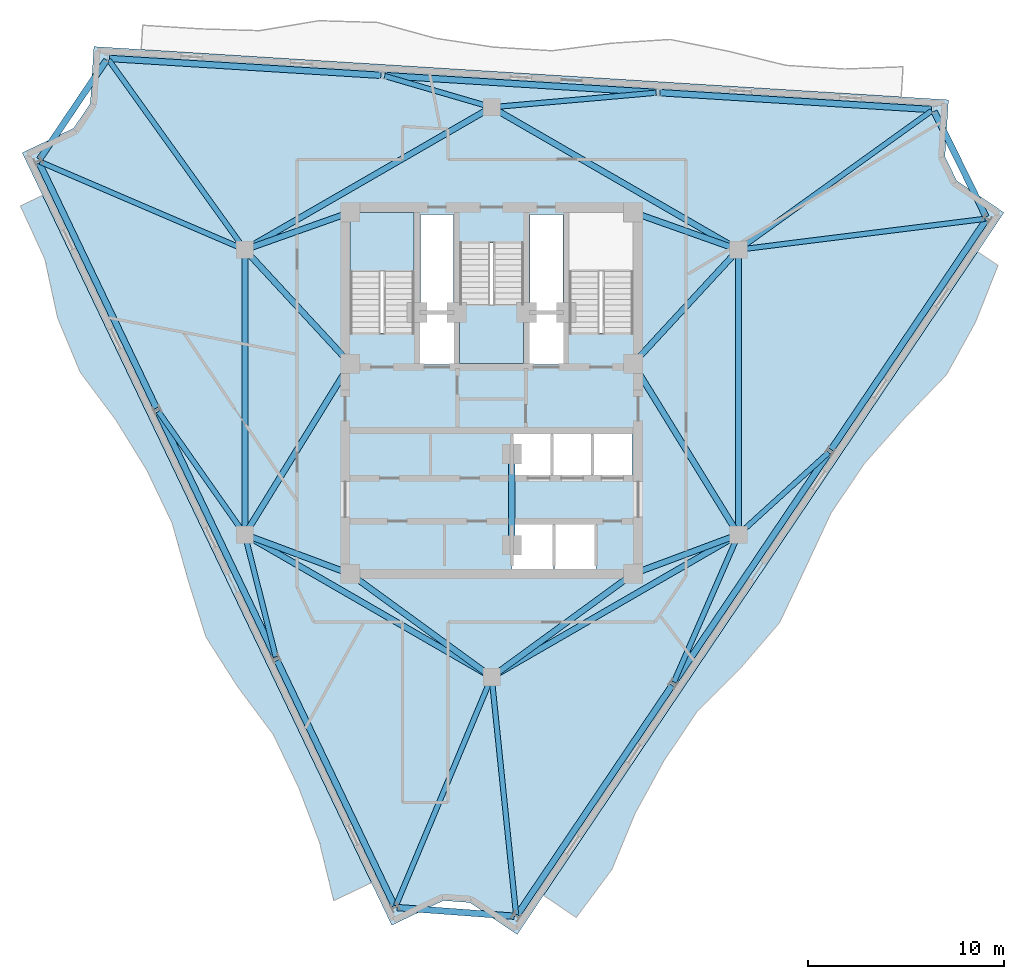
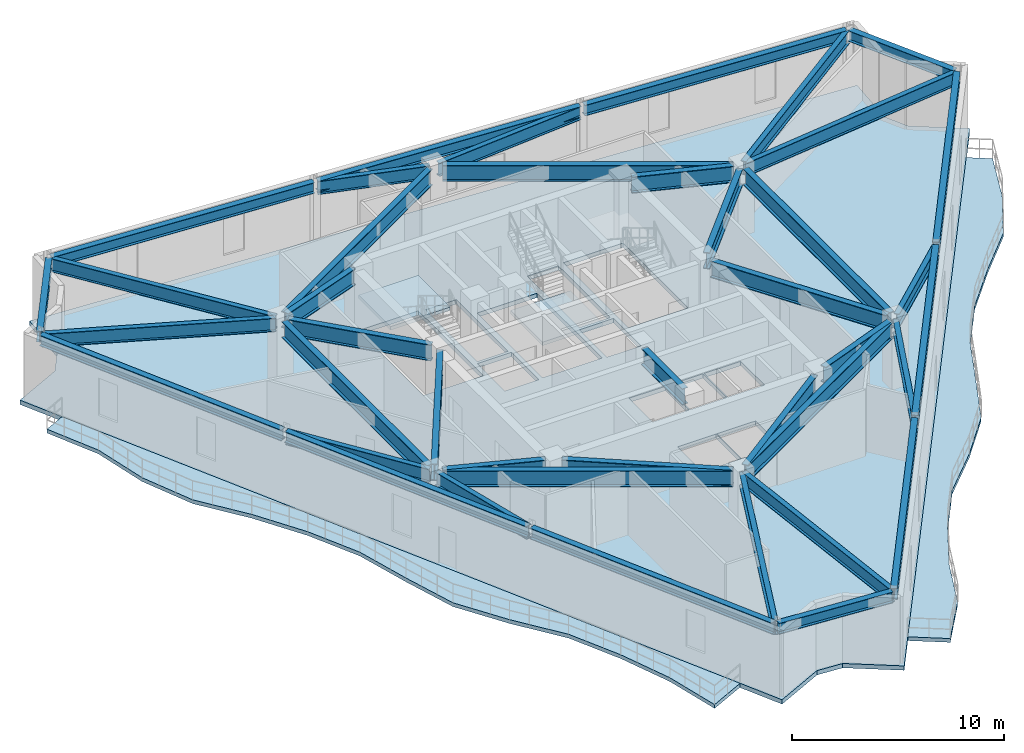
# One storey, part 4 of 10: 41 beams, 5 slabs, 2 elements without a shape of their own.
"""IFC4 building model written with IfcOpenShell, lengths in metres."""

from ifc_helpers import new_model, si_unit, direction, frame, origin, origin_2d, place, context, subcontext, project, spatial, polyline, i_section, outline, extrude, material, layer, layer_set, material_profile, profile_set, type_object, element, aggregate, save


model = new_model("IFC4")

# Units and contexts
model_context = context("Model", 3, precision=1e-05, world=origin(), true_north=direction((0.0, 1.0)))
body_context = subcontext(model_context, "Body", "Model", "MODEL_VIEW")
ifc_project = project(units=[si_unit("LENGTHUNIT", "METRE"), si_unit("AREAUNIT", "SQUARE_METRE"), si_unit("VOLUMEUNIT", "CUBIC_METRE"), si_unit("PLANEANGLEUNIT", "RADIAN"), si_unit("MASSUNIT", "GRAM", prefix="KILO")], contexts=[model_context])

# Site, building, storey
site_placement = place(None, origin())
site = spatial("IfcSite", under=ifc_project, at=site_placement, CompositionType="ELEMENT")
building_placement = place(site_placement, origin())
building = spatial("IfcBuilding", under=site, at=building_placement, Name="Apsidion Concourse Tower", CompositionType="ELEMENT")
storey_placement = place(building_placement, frame((0.0, 0.0, 298.300048828125)))
storey = spatial("IfcBuildingStorey", under=building, at=storey_placement, Name="L70", CompositionType="ELEMENT", Elevation=298.300048828125)

# Beams
ifc_material_1 = material(Name="Structural steel ASTM A992 Grade 50", Category="steel")
ifc_material_profile_1 = material_profile(ifc_material_1, i_section(OverallWidth=0.31005859375, OverallDepth=0.931884765625, WebThickness=0.02099609375, FlangeThickness=0.034423828125, at=origin_2d()), Name="W36X210")
ifc_profile_set_1 = profile_set([ifc_material_profile_1], Name="Structural steel ASTM A992 Grade 50")
beam_type_1 = type_object("IfcBeamType", Name="BM-G-W36", PredefinedType="USERDEFINED", material=ifc_profile_set_1)
beam_1_placement = place(storey_placement, frame((-12.185302734375, -7.389892578125, 3.384033203125), z_axis=(0.936913021145, -0.349562570664, 0.0), x_axis=(0.349562570664, 0.936913021145, 0.0)))
element("IfcBeam", 1, at=beam_1_placement, inside=storey, type_object=beam_type_1, Name="L70 Core Coupling Girder IC1-SC1", ObjectType="GIRDER", PredefinedType="USERDEFINED", context=body_context, shape_type="SweptSolid", body=[
    extrude(i_section(OverallWidth=0.31005859375, OverallDepth=0.931884765625, WebThickness=0.02099609375, FlangeThickness=0.034423828125, at=origin_2d()), origin(), (0.0, 0.0, 1.0), 4.921142578125),
])
beam_2_placement = place(storey_placement, frame((-12.35009765625, -6.909423828125, 3.384033203125), z_axis=(0.524524009763, 0.851395656074, 0.0), x_axis=(-0.851395656074, 0.524524009763, 0.0)))
element("IfcBeam", 2, at=beam_2_placement, inside=storey, type_object=beam_type_1, Name="L70 Core Coupling Girder IC1-SC6", ObjectType="GIRDER", PredefinedType="USERDEFINED", context=body_context, shape_type="SweptSolid", body=[
    extrude(i_section(OverallWidth=0.31005859375, OverallDepth=0.931884765625, WebThickness=0.02099609375, FlangeThickness=0.034423828125, at=origin_2d()), origin(), (0.0, 0.0, 1.0), 9.41845703125),
])
beam_3_placement = place(storey_placement, frame((12.185302734375, -7.389892578125, 3.384033203125), z_axis=(-0.936913021145, -0.349562570664, 0.0), x_axis=(0.349562570664, -0.936913021145, 0.0)))
element("IfcBeam", 3, at=beam_3_placement, inside=storey, type_object=beam_type_1, Name="L70 Core Coupling Girder IC2-SC2", ObjectType="GIRDER", PredefinedType="USERDEFINED", context=body_context, shape_type="SweptSolid", body=[
    extrude(i_section(OverallWidth=0.31005859375, OverallDepth=0.931884765625, WebThickness=0.02099609375, FlangeThickness=0.034423828125, at=origin_2d()), origin(), (0.0, 0.0, 1.0), 4.921142578125),
])
beam_4_placement = place(storey_placement, frame((12.35009765625, -6.909423828125, 3.384033203125), z_axis=(-0.524524009763, 0.851395656074, 0.0), x_axis=(-0.851395656074, -0.524524009763, 0.0)))
element("IfcBeam", 4, at=beam_4_placement, inside=storey, type_object=beam_type_1, Name="L70 Core Coupling Girder IC2-SC3", ObjectType="GIRDER", PredefinedType="USERDEFINED", context=body_context, shape_type="SweptSolid", body=[
    extrude(i_section(OverallWidth=0.31005859375, OverallDepth=0.931884765625, WebThickness=0.02099609375, FlangeThickness=0.034423828125, at=origin_2d()), origin(), (0.0, 0.0, 1.0), 9.41845703125),
])
beam_5_placement = place(storey_placement, frame((12.28857421875, 6.956298828125, 3.384033203125), z_axis=(-0.678712876106, -0.73440372535, 0.0), x_axis=(0.73440372535, -0.678712876106, 0.0)))
element("IfcBeam", 5, at=beam_5_placement, inside=storey, type_object=beam_type_1, Name="L70 Core Coupling Girder IC3-SC3", ObjectType="GIRDER", PredefinedType="USERDEFINED", context=body_context, shape_type="SweptSolid", body=[
    extrude(i_section(OverallWidth=0.31005859375, OverallDepth=0.931884765625, WebThickness=0.02099609375, FlangeThickness=0.034423828125, at=origin_2d()), origin(), (0.0, 0.0, 1.0), 7.097412109375),
])
beam_6_placement = place(storey_placement, frame((12.18310546875, 7.383544921875, 3.384033203125), z_axis=(-0.942533844539, 0.334110688094, 0.0), x_axis=(-0.334110688094, -0.942533844539, 0.0)))
element("IfcBeam", 6, at=beam_6_placement, inside=storey, type_object=beam_type_1, Name="L70 Core Coupling Girder IC3-SC4", ObjectType="GIRDER", PredefinedType="USERDEFINED", context=body_context, shape_type="SweptSolid", body=[
    extrude(i_section(OverallWidth=0.31005859375, OverallDepth=0.931884765625, WebThickness=0.02099609375, FlangeThickness=0.034423828125, at=origin_2d()), origin(), (0.0, 0.0, 1.0), 4.886962890625),
])
beam_7_placement = place(storey_placement, frame((-12.28857421875, 6.956298828125, 3.384033203125), z_axis=(0.678712876106, -0.73440372535, 0.0), x_axis=(0.73440372535, 0.678712876106, 0.0)))
element("IfcBeam", 7, at=beam_7_placement, inside=storey, type_object=beam_type_1, Name="L70 Core Coupling Girder IC5-SC6", ObjectType="GIRDER", PredefinedType="USERDEFINED", context=body_context, shape_type="SweptSolid", body=[
    extrude(i_section(OverallWidth=0.31005859375, OverallDepth=0.931884765625, WebThickness=0.02099609375, FlangeThickness=0.034423828125, at=origin_2d()), origin(), (0.0, 0.0, 1.0), 7.097412109375),
])
beam_8_placement = place(storey_placement, frame((-12.18310546875, 7.383544921875, 3.384033203125), z_axis=(0.942533844539, 0.334110688094, 0.0), x_axis=(-0.334110688094, 0.942533844539, 0.0)))
element("IfcBeam", 8, at=beam_8_placement, inside=storey, type_object=beam_type_1, Name="L70 Core Coupling Girder IC5-SC5", ObjectType="GIRDER", PredefinedType="USERDEFINED", context=body_context, shape_type="SweptSolid", body=[
    extrude(i_section(OverallWidth=0.31005859375, OverallDepth=0.931884765625, WebThickness=0.02099609375, FlangeThickness=0.034423828125, at=origin_2d()), origin(), (0.0, 0.0, 1.0), 4.886962890625),
])
for number, where, z_axis, x_axis, name in (
    (9, (-0.3232421875, -14.264404296875, 3.384033203125), (-0.807993498909, 0.589191399905, 0.0), (-0.589191399905, -0.807993498909, 0.0), "L70 Core Coupling Girder IC6-SC1"),
    (10, (0.3232421875, -14.264404296875, 3.384033203125), (0.807993498909, 0.589191399905, 0.0), (-0.589191399905, 0.807993498909, 0.0), "L70 Core Coupling Girder IC6-SC2"),
):
    element("IfcBeam", number, at=place(storey_placement, frame(where, z_axis=z_axis, x_axis=x_axis)), inside=storey, type_object=beam_type_1, Name=name, ObjectType="GIRDER", PredefinedType="USERDEFINED", context=body_context, shape_type="SweptSolid", body=[
        extrude(i_section(OverallWidth=0.31005859375, OverallDepth=0.931884765625, WebThickness=0.02099609375, FlangeThickness=0.034423828125, at=origin_2d()), origin(), (0.0, 0.0, 1.0), 8.11083984375),
    ])
beam_9_placement = place(storey_placement, frame((-12.56005859375, -6.85009765625, 3.384033203125), z_axis=(0.0, 1.0, 0.0), x_axis=(-1.0, 0.0, 0.0)))
element("IfcBeam", 11, at=beam_9_placement, inside=storey, type_object=beam_type_1, Name="L70 Core Coupling Girder IC1-IC5", ObjectType="GIRDER", PredefinedType="USERDEFINED", context=body_context, shape_type="SweptSolid", body=[
    extrude(i_section(OverallWidth=0.31005859375, OverallDepth=0.931884765625, WebThickness=0.02099609375, FlangeThickness=0.034423828125, at=origin_2d()), origin(), (0.0, 0.0, 1.0), 13.7001953125),
])
for number, where, z_axis, x_axis, name in (
    (12, (-12.213623046875, 7.449951171875, 3.384033203125), (0.866070471464, 0.499921932364, 0.0), (-0.499921932364, 0.866070471464, 0.0), "L70 Core Coupling Girder IC5-IC4"),
    (13, (0.346435546875, 14.300048828125, 3.384033203125), (0.866070471464, -0.499921932364, 0.0), (0.499921932364, 0.866070471464, 0.0), "L70 Core Coupling Girder IC4-IC3"),
):
    element("IfcBeam", number, at=place(storey_placement, frame(where, z_axis=z_axis, x_axis=x_axis)), inside=storey, type_object=beam_type_1, Name=name, ObjectType="GIRDER", PredefinedType="USERDEFINED", context=body_context, shape_type="SweptSolid", body=[
        extrude(i_section(OverallWidth=0.31005859375, OverallDepth=0.931884765625, WebThickness=0.02099609375, FlangeThickness=0.034423828125, at=origin_2d()), origin(), (0.0, 0.0, 1.0), 13.702392578125),
    ])
beam_10_placement = place(storey_placement, frame((12.56005859375, 6.85009765625, 3.384033203125), z_axis=(0.0, -1.0, 0.0), x_axis=(1.0, 0.0, 0.0)))
element("IfcBeam", 14, at=beam_10_placement, inside=storey, type_object=beam_type_1, Name="L70 Core Coupling Girder IC3-IC2", ObjectType="GIRDER", PredefinedType="USERDEFINED", context=body_context, shape_type="SweptSolid", body=[
    extrude(i_section(OverallWidth=0.31005859375, OverallDepth=0.931884765625, WebThickness=0.02099609375, FlangeThickness=0.034423828125, at=origin_2d()), origin(), (0.0, 0.0, 1.0), 13.7001953125),
])
for number, where, z_axis, x_axis, name in (
    (15, (12.213623046875, -7.449951171875, 3.384033203125), (-0.866070471464, -0.499921932364, 0.0), (0.499921932364, -0.866070471464, 0.0), "L70 Core Coupling Girder IC2-IC6"),
    (16, (-0.346435546875, -14.300048828125, 3.384033203125), (-0.866070471464, 0.499921932364, 0.0), (-0.499921932364, -0.866070471464, 0.0), "L70 Core Coupling Girder IC6-IC1"),
):
    element("IfcBeam", number, at=place(storey_placement, frame(where, z_axis=z_axis, x_axis=x_axis)), inside=storey, type_object=beam_type_1, Name=name, ObjectType="GIRDER", PredefinedType="USERDEFINED", context=body_context, shape_type="SweptSolid", body=[
        extrude(i_section(OverallWidth=0.31005859375, OverallDepth=0.931884765625, WebThickness=0.02099609375, FlangeThickness=0.034423828125, at=origin_2d()), origin(), (0.0, 0.0, 1.0), 13.702392578125),
    ])
beam_11_placement = place(storey_placement, frame((1.02490234375, -3.550048828125, 3.384033203125), z_axis=(0.0, -1.0, 0.0), x_axis=(1.0, 0.0, 0.0)))
element("IfcBeam", 17, at=beam_11_placement, inside=storey, type_object=beam_type_1, Name="L70 Core Coupling Girder CC5-CC6", ObjectType="GIRDER", PredefinedType="USERDEFINED", context=body_context, shape_type="SweptSolid", body=[
    extrude(i_section(OverallWidth=0.31005859375, OverallDepth=0.931884765625, WebThickness=0.02099609375, FlangeThickness=0.034423828125, at=origin_2d()), origin(), (0.0, 0.0, 1.0), 3.849853515625),
])
ifc_material_profile_2 = material_profile(ifc_material_1, i_section(OverallWidth=0.324951171875, OverallDepth=0.616943359375, WebThickness=0.013916015625, FlangeThickness=0.021484375, at=origin_2d()), Name="W24X117")
ifc_profile_set_2 = profile_set([ifc_material_profile_2], Name="Structural steel ASTM A992 Grade 50")
beam_type_2 = type_object("IfcBeamType", Name="BM-SP-W24", PredefinedType="SPANDREL", material=ifc_profile_set_2)
beam_12_placement = place(storey_placement, frame((-23.0302734375, 11.66845703125, 3.54150390625), z_axis=(0.431360581796, -0.902179609874, 0.0), x_axis=(0.902179609874, 0.431360581796, 0.0)))
element("IfcBeam", 18, at=beam_12_placement, inside=storey, type_object=beam_type_2, Name="L70 Perimeter Spandrel Girder SP-01", PredefinedType="SPANDREL", context=body_context, shape_type="SweptSolid", body=[
    extrude(i_section(OverallWidth=0.324951171875, OverallDepth=0.616943359375, WebThickness=0.013916015625, FlangeThickness=0.021484375, at=origin_2d()), origin(), (0.0, 0.0, 1.0), 13.834716796875),
])
beam_13_placement = place(storey_placement, frame((-16.976318359375, -0.993408203125, 3.54150390625), z_axis=(0.43136744944, -0.902176326204, 0.0), x_axis=(0.902176326204, 0.43136744944, 0.0)))
element("IfcBeam", 19, at=beam_13_placement, inside=storey, type_object=beam_type_2, Name="L70 Perimeter Spandrel Girder SP-02", PredefinedType="SPANDREL", context=body_context, shape_type="SweptSolid", body=[
    extrude(i_section(OverallWidth=0.324951171875, OverallDepth=0.616943359375, WebThickness=0.013916015625, FlangeThickness=0.021484375, at=origin_2d()), origin(), (0.0, 0.0, 1.0), 13.83447265625),
])
beam_14_placement = place(storey_placement, frame((-10.92236328125, -13.655029296875, 3.54150390625), z_axis=(0.431360581796, -0.902179609874, 0.0), x_axis=(0.902179609874, 0.431360581796, 0.0)))
element("IfcBeam", 20, at=beam_14_placement, inside=storey, type_object=beam_type_2, Name="L70 Perimeter Spandrel Girder SP-03", PredefinedType="SPANDREL", context=body_context, shape_type="SweptSolid", body=[
    extrude(i_section(OverallWidth=0.324951171875, OverallDepth=0.616943359375, WebThickness=0.013916015625, FlangeThickness=0.021484375, at=origin_2d()), origin(), (0.0, 0.0, 1.0), 13.834716796875),
])
beam_15_placement = place(storey_placement, frame((-4.81201171875, -26.234130859375, 3.54150390625), z_axis=(0.997286428853, -0.073619147134, 0.0), x_axis=(0.073619147134, 0.997286428853, 0.0)))
element("IfcBeam", 21, at=beam_15_placement, inside=storey, type_object=beam_type_2, Name="L70 Perimeter Spandrel Girder SP-04", PredefinedType="SPANDREL", context=body_context, shape_type="SweptSolid", body=[
    extrude(i_section(OverallWidth=0.324951171875, OverallDepth=0.616943359375, WebThickness=0.013916015625, FlangeThickness=0.021484375, at=origin_2d()), origin(), (0.0, 0.0, 1.0), 5.982421875),
])
beam_16_placement = place(storey_placement, frame((1.309814453125, -26.59912109375, 3.54150390625), z_axis=(0.559201815781, 0.829031561056, 0.0), x_axis=(-0.829031561056, 0.559201815781, 0.0)))
element("IfcBeam", 22, at=beam_16_placement, inside=storey, type_object=beam_type_2, Name="L70 Perimeter Spandrel Girder SP-05", PredefinedType="SPANDREL", context=body_context, shape_type="SweptSolid", body=[
    extrude(i_section(OverallWidth=0.324951171875, OverallDepth=0.616943359375, WebThickness=0.013916015625, FlangeThickness=0.021484375, at=origin_2d()), origin(), (0.0, 0.0, 1.0), 14.07958984375),
])
beam_17_placement = place(storey_placement, frame((9.294921875, -14.760986328125, 3.54150390625), z_axis=(0.559189897853, 0.829039599862, 0.0), x_axis=(-0.829039599862, 0.559189897853, 0.0)))
element("IfcBeam", 23, at=beam_17_placement, inside=storey, type_object=beam_type_2, Name="L70 Perimeter Spandrel Girder SP-06", PredefinedType="SPANDREL", context=body_context, shape_type="SweptSolid", body=[
    extrude(i_section(OverallWidth=0.324951171875, OverallDepth=0.616943359375, WebThickness=0.013916015625, FlangeThickness=0.021484375, at=origin_2d()), origin(), (0.0, 0.0, 1.0), 14.079345703125),
])
beam_18_placement = place(storey_placement, frame((17.27978515625, -2.9228515625, 3.54150390625), z_axis=(0.559201815781, 0.829031561056, 0.0), x_axis=(-0.829031561056, 0.559201815781, 0.0)))
element("IfcBeam", 24, at=beam_18_placement, inside=storey, type_object=beam_type_2, Name="L70 Perimeter Spandrel Girder SP-07", PredefinedType="SPANDREL", context=body_context, shape_type="SweptSolid", body=[
    extrude(i_section(OverallWidth=0.324951171875, OverallDepth=0.616943359375, WebThickness=0.013916015625, FlangeThickness=0.021484375, at=origin_2d()), origin(), (0.0, 0.0, 1.0), 14.07958984375),
])
beam_19_placement = place(storey_placement, frame((25.164794921875, 8.922119140625, 3.54150390625), z_axis=(-0.441884134894, 0.897072132734, 0.0), x_axis=(-0.897072132734, -0.441884134894, 0.0)))
element("IfcBeam", 25, at=beam_19_placement, inside=storey, type_object=beam_type_2, Name="L70 Perimeter Spandrel Girder SP-08", PredefinedType="SPANDREL", context=body_context, shape_type="SweptSolid", body=[
    extrude(i_section(OverallWidth=0.324951171875, OverallDepth=0.616943359375, WebThickness=0.013916015625, FlangeThickness=0.021484375, at=origin_2d()), origin(), (0.0, 0.0, 1.0), 5.982421875),
])
beam_20_placement = place(storey_placement, frame((22.377197265625, 14.384765625, 3.54150390625), z_axis=(-0.998077561187, 0.06197726886, 0.0), x_axis=(-0.06197726886, -0.998077561187, 0.0)))
element("IfcBeam", 26, at=beam_20_placement, inside=storey, type_object=beam_type_2, Name="L70 Perimeter Spandrel Girder SP-09", PredefinedType="SPANDREL", context=body_context, shape_type="SweptSolid", body=[
    extrude(i_section(OverallWidth=0.324951171875, OverallDepth=0.616943359375, WebThickness=0.013916015625, FlangeThickness=0.021484375, at=origin_2d()), origin(), (0.0, 0.0, 1.0), 13.83447265625),
])
for number, where, z_axis, x_axis, name in (
    (27, (8.36962890625, 15.254638671875, 3.54150390625), (-0.998076537228, 0.061993756414, 0.0), (-0.061993756414, -0.998076537228, 0.0), "L70 Perimeter Spandrel Girder SP-10"),
    (28, (-5.637939453125, 16.12451171875, 3.54150390625), (-0.998076537228, 0.061993756414, 0.0), (-0.061993756414, -0.998076537228, 0.0), "L70 Perimeter Spandrel Girder SP-11"),
):
    element("IfcBeam", number, at=place(storey_placement, frame(where, z_axis=z_axis, x_axis=x_axis)), inside=storey, type_object=beam_type_2, Name=name, PredefinedType="SPANDREL", context=body_context, shape_type="SweptSolid", body=[
        extrude(i_section(OverallWidth=0.324951171875, OverallDepth=0.616943359375, WebThickness=0.013916015625, FlangeThickness=0.021484375, at=origin_2d()), origin(), (0.0, 0.0, 1.0), 13.834716796875),
    ])
beam_21_placement = place(storey_placement, frame((-19.601806640625, 16.905517578125, 3.54150390625), z_axis=(-0.559174891641, -0.829049721403, 0.0), x_axis=(0.829049721403, -0.559174891641, 0.0)))
element("IfcBeam", 29, at=beam_21_placement, inside=storey, type_object=beam_type_2, Name="L70 Perimeter Spandrel Girder SP-12", PredefinedType="SPANDREL", context=body_context, shape_type="SweptSolid", body=[
    extrude(i_section(OverallWidth=0.324951171875, OverallDepth=0.616943359375, WebThickness=0.013916015625, FlangeThickness=0.021484375, at=origin_2d()), origin(), (0.0, 0.0, 1.0), 6.108154296875),
])
ifc_material_profile_3 = material_profile(ifc_material_1, i_section(OverallWidth=0.26806640625, OverallDepth=0.77001953125, WebThickness=0.015625, FlangeThickness=0.025390625, at=origin_2d()), Name="W30X132")
ifc_profile_set_3 = profile_set([ifc_material_profile_3], Name="Structural steel ASTM A992 Grade 50")
beam_type_3 = type_object("IfcBeamType", Name="BM-SP-W30", PredefinedType="SPANDREL", material=ifc_profile_set_3)
beam_22_placement = place(storey_placement, frame((-12.76220703125, 7.336669921875, 3.46484375), z_axis=(-0.919050742632, 0.3941392298, 0.0), x_axis=(-0.3941392298, -0.919050742632, 0.0)))
element("IfcBeam", 30, at=beam_22_placement, inside=storey, type_object=beam_type_3, Name="L70 Radial Floor Girder RAD-01", PredefinedType="SPANDREL", context=body_context, shape_type="SweptSolid", body=[
    extrude(i_section(OverallWidth=0.26806640625, OverallDepth=0.77001953125, WebThickness=0.015625, FlangeThickness=0.025390625, at=origin_2d()), origin(), (0.0, 0.0, 1.0), 11.119384765625),
])
beam_23_placement = place(storey_placement, frame((-12.6865234375, -7.070068359375, 3.46484375), z_axis=(-0.574897998258, 0.818225086146, 0.0), x_axis=(-0.818225086146, -0.574897998258, 0.0)))
element("IfcBeam", 31, at=beam_23_placement, inside=storey, type_object=beam_type_3, Name="L70 Radial Floor Girder RAD-02", PredefinedType="SPANDREL", context=body_context, shape_type="SweptSolid", body=[
    extrude(i_section(OverallWidth=0.26806640625, OverallDepth=0.77001953125, WebThickness=0.015625, FlangeThickness=0.025390625, at=origin_2d()), origin(), (0.0, 0.0, 1.0), 7.436767578125),
])
beam_24_placement = place(storey_placement, frame((-12.506103515625, -7.46337890625, 3.46484375), z_axis=(0.244807492941, -0.969571705136, 0.0), x_axis=(0.969571705136, 0.244807492941, 0.0)))
element("IfcBeam", 32, at=beam_24_placement, inside=storey, type_object=beam_type_3, Name="L70 Radial Floor Girder RAD-03", PredefinedType="SPANDREL", context=body_context, shape_type="SweptSolid", body=[
    extrude(i_section(OverallWidth=0.26806640625, OverallDepth=0.77001953125, WebThickness=0.015625, FlangeThickness=0.025390625, at=origin_2d()), origin(), (0.0, 0.0, 1.0), 6.193115234375),
])
beam_25_placement = place(storey_placement, frame((-0.0849609375, -14.702880859375, 3.46484375), z_axis=(-0.386326743156, -0.922361993755, 0.0), x_axis=(0.922361993755, -0.386326743156, 0.0)))
element("IfcBeam", 33, at=beam_25_placement, inside=storey, type_object=beam_type_3, Name="L70 Radial Floor Girder RAD-04", PredefinedType="SPANDREL", context=body_context, shape_type="SweptSolid", body=[
    extrude(i_section(OverallWidth=0.26806640625, OverallDepth=0.77001953125, WebThickness=0.015625, FlangeThickness=0.025390625, at=origin_2d()), origin(), (0.0, 0.0, 1.0), 12.393798828125),
])
beam_26_placement = place(storey_placement, frame((0.0224609375, -14.71875, 3.46484375), z_axis=(0.10241374793, -0.994741888248, 0.0), x_axis=(0.994741888248, 0.10241374793, 0.0)))
element("IfcBeam", 34, at=beam_26_placement, inside=storey, type_object=beam_type_3, Name="L70 Radial Floor Girder RAD-05", PredefinedType="SPANDREL", context=body_context, shape_type="SweptSolid", body=[
    extrude(i_section(OverallWidth=0.26806640625, OverallDepth=0.77001953125, WebThickness=0.015625, FlangeThickness=0.025390625, at=origin_2d()), origin(), (0.0, 0.0, 1.0), 11.926513671875),
])
beam_27_placement = place(storey_placement, frame((12.4716796875, -7.45166015625, 3.46484375), z_axis=(-0.400675776745, -0.916219909154, 0.0), x_axis=(0.916219909154, -0.400675776745, 0.0)))
element("IfcBeam", 35, at=beam_27_placement, inside=storey, type_object=beam_type_3, Name="L70 Radial Floor Girder RAD-06", PredefinedType="SPANDREL", context=body_context, shape_type="SweptSolid", body=[
    extrude(i_section(OverallWidth=0.26806640625, OverallDepth=0.77001953125, WebThickness=0.015625, FlangeThickness=0.025390625, at=origin_2d()), origin(), (0.0, 0.0, 1.0), 7.968017578125),
])
beam_28_placement = place(storey_placement, frame((12.72265625, -7.101806640625, 3.46484375), z_axis=(0.739604100637, 0.673042178709, 0.0), x_axis=(-0.673042178709, 0.739604100637, 0.0)))
element("IfcBeam", 36, at=beam_28_placement, inside=storey, type_object=beam_type_3, Name="L70 Radial Floor Girder RAD-07", PredefinedType="SPANDREL", context=body_context, shape_type="SweptSolid", body=[
    extrude(i_section(OverallWidth=0.26806640625, OverallDepth=0.77001953125, WebThickness=0.015625, FlangeThickness=0.025390625, at=origin_2d()), origin(), (0.0, 0.0, 1.0), 5.986083984375),
])
beam_29_placement = place(storey_placement, frame((12.7783203125, 7.27734375, 3.46484375), z_axis=(0.99226487514, 0.124138702924, 0.0), x_axis=(-0.124138702924, 0.99226487514, 0.0)))
element("IfcBeam", 37, at=beam_29_placement, inside=storey, type_object=beam_type_3, Name="L70 Radial Floor Girder RAD-08", PredefinedType="SPANDREL", context=body_context, shape_type="SweptSolid", body=[
    extrude(i_section(OverallWidth=0.26806640625, OverallDepth=0.77001953125, WebThickness=0.015625, FlangeThickness=0.025390625, at=origin_2d()), origin(), (0.0, 0.0, 1.0), 12.427490234375),
])
beam_30_placement = place(storey_placement, frame((12.738525390625, 7.37841796875, 3.46484375), z_axis=(0.811991962087, 0.583668616174, 0.0), x_axis=(-0.583668616174, 0.811991962087, 0.0)))
element("IfcBeam", 38, at=beam_30_placement, inside=storey, type_object=beam_type_3, Name="L70 Radial Floor Girder RAD-09", PredefinedType="SPANDREL", context=body_context, shape_type="SweptSolid", body=[
    extrude(i_section(OverallWidth=0.26806640625, OverallDepth=0.77001953125, WebThickness=0.015625, FlangeThickness=0.025390625, at=origin_2d()), origin(), (0.0, 0.0, 1.0), 11.8935546875),
])
beam_31_placement = place(storey_placement, frame((0.218994140625, 14.519287109375, 3.46484375), z_axis=(0.99611631584, 0.088047063082, 0.0), x_axis=(-0.088047063082, 0.99611631584, 0.0)))
element("IfcBeam", 39, at=beam_31_placement, inside=storey, type_object=beam_type_3, Name="L70 Radial Floor Girder RAD-10", PredefinedType="SPANDREL", context=body_context, shape_type="SweptSolid", body=[
    extrude(i_section(OverallWidth=0.26806640625, OverallDepth=0.77001953125, WebThickness=0.015625, FlangeThickness=0.025390625, at=origin_2d()), origin(), (0.0, 0.0, 1.0), 8.1826171875),
])
beam_32_placement = place(storey_placement, frame((-0.211181640625, 14.561767578125, 3.46484375), z_axis=(-0.959858385002, 0.28048508114, 0.0), x_axis=(-0.28048508114, -0.959858385002, 0.0)))
element("IfcBeam", 40, at=beam_32_placement, inside=storey, type_object=beam_type_3, Name="L70 Radial Floor Girder RAD-11", PredefinedType="SPANDREL", context=body_context, shape_type="SweptSolid", body=[
    extrude(i_section(OverallWidth=0.26806640625, OverallDepth=0.77001953125, WebThickness=0.015625, FlangeThickness=0.025390625, at=origin_2d()), origin(), (0.0, 0.0, 1.0), 5.44970703125),
])
beam_33_placement = place(storey_placement, frame((-12.688232421875, 7.4287109375, 3.46484375), z_axis=(-0.582890152065, 0.812550964941, 0.0), x_axis=(-0.812550964941, -0.582890152065, 0.0)))
element("IfcBeam", 41, at=beam_33_placement, inside=storey, type_object=beam_type_3, Name="L70 Radial Floor Girder RAD-12", PredefinedType="SPANDREL", context=body_context, shape_type="SweptSolid", body=[
    extrude(i_section(OverallWidth=0.26806640625, OverallDepth=0.77001953125, WebThickness=0.015625, FlangeThickness=0.025390625, at=origin_2d()), origin(), (0.0, 0.0, 1.0), 11.664794921875),
])

# Slabs
ifc_material_2 = material(Name="Concrete C50/60", Category="concrete")
ifc_layer_1 = layer(ifc_material_2, 0.219970703125)
ifc_layer_set_1 = layer_set([ifc_layer_1], Name="Concrete C50/60")
slab_type_1 = type_object("IfcSlabType", Name="SL-BAL-220", PredefinedType="FLOOR", material=ifc_layer_set_1)
slab_1_placement = place(storey_placement, frame((0.0, 0.0, -0.219970703125)))
element("IfcSlab", 42, at=slab_1_placement, inside=storey, type_object=slab_type_1, Name="L70 Face 1 Rippling Balcony Slab", PredefinedType="FLOOR", context=body_context, shape_type="SweptSolid", body=[
    extrude(outline(polyline([(-22.85546875, 10.015869140625), (-21.56787109375, 7.324951171875), (-20.280517578125, 4.634033203125), (-18.992919921875, 1.943115234375), (-17.70556640625, -0.747802734375), (-16.41796875, -3.438720703125), (-15.130615234375, -6.129638671875), (-13.843017578125, -8.820556640625), (-12.555419921875, -11.51171875), (-11.26806640625, -14.202392578125), (-9.980712890625, -16.893310546875), (-8.693115234375, -19.58447265625), (-7.405517578125, -22.275390625), (-6.1181640625, -24.96630859375), (-8.03662109375, -25.88427734375), (-8.757080078125, -22.921875), (-9.82080078125, -20.123779296875), (-11.108154296875, -17.432861328125), (-12.922607421875, -14.994140625), (-14.539306640625, -12.460693359375), (-15.440185546875, -9.584716796875), (-16.258056640625, -6.669189453125), (-17.545654296875, -3.978271484375), (-19.119140625, -1.42431640625), (-20.937255859375, 1.012939453125), (-22.087646484375, 3.769287109375), (-22.738037109375, 6.76513671875), (-23.98291015625, 9.476318359375), (-22.85546875, 10.015869140625)])), origin(), (0.0, 0.0, 1.0), 0.219970703125),
])
slab_2_placement = place(storey_placement, frame((0.0, 0.0, -0.219970703125)))
element("IfcSlab", 43, at=slab_2_placement, inside=storey, type_object=slab_type_1, Name="L70 Face 2 Rippling Balcony Slab", PredefinedType="FLOOR", context=body_context, shape_type="SweptSolid", body=[
    extrude(outline(polyline([(2.639404296875, -25.61181640625), (4.339111328125, -23.091796875), (6.038818359375, -20.572021484375), (7.73828125, -18.052001953125), (9.43798828125, -15.531982421875), (11.1376953125, -13.01220703125), (12.83740234375, -10.4921875), (14.537353515625, -7.972412109375), (16.237060546875, -5.452392578125), (17.936767578125, -2.9326171875), (19.636474609375, -0.41259765625), (21.336181640625, 2.107421875), (23.035888671875, 4.627197265625), (24.735595703125, 7.147216796875), (25.771728515625, 6.4482421875), (24.62451171875, 3.5556640625), (23.146728515625, 0.885986328125), (21.0048828125, -1.335693359375), (18.972900390625, -3.631591796875), (17.273193359375, -6.1513671875), (15.97314453125, -8.94091796875), (14.6591796875, -11.720947265625), (12.6669921875, -14.043701171875), (10.474365234375, -16.231201171875), (8.774658203125, -18.7509765625), (7.306884765625, -21.427490234375), (6.11865234375, -24.292236328125), (4.305419921875, -26.735595703125), (2.639404296875, -25.61181640625)])), origin(), (0.0, 0.0, 1.0), 0.219970703125),
])
ifc_layer_2 = layer(ifc_material_2, 0.25)
ifc_layer_set_2 = layer_set([ifc_layer_2], Name="Concrete C50/60")
slab_type_2 = type_object("IfcSlabType", Name="SL-FLR-250", PredefinedType="FLOOR", material=ifc_layer_set_2)
slab_3_placement = place(storey_placement, frame((0.0, 0.0, -0.25)))
element("IfcSlab", 44, at=slab_3_placement, inside=storey, type_object=slab_type_2, Name="L70 Structural Floor Slab", PredefinedType="FLOOR", context=body_context, shape_type="SweptSolid", body=[
    extrude(outline(polyline([(-20.24365234375, 17.58837890625), (-20.424560546875, 14.688232421875), (-21.27001953125, 13.43505859375), (-23.89111328125, 12.180908203125), (-5.082275390625, -27.131103515625), (-2.461181640625, -25.877197265625), (-1.11181640625, -25.9765625), (1.297119140625, -27.6015625), (26.07763671875, 9.136962890625), (23.668701171875, 10.76171875), (23.07080078125, 11.9755859375), (23.251708984375, 14.875732421875), (-20.24365234375, 17.58837890625)]), holes=[polyline([(-3.949951171875, 3.0), (-3.949951171875, 9.14990234375), (-7.199951171875, 9.14990234375), (-7.199951171875, 3.0), (-3.949951171875, 3.0)]), polyline([(7.199951171875, 3.0), (7.199951171875, 9.14990234375), (3.949951171875, 9.14990234375), (3.949951171875, 3.0), (7.199951171875, 3.0)]), polyline([(-1.625, 7.60009765625), (-1.625, 1.449951171875), (1.625, 1.449951171875), (1.625, 7.60009765625), (-1.625, 7.60009765625)]), polyline([(1.054931640625, -4.300048828125), (3.044921875, -4.300048828125), (3.044921875, -2.050048828125), (1.054931640625, -2.050048828125), (1.054931640625, -4.300048828125)]), polyline([(3.10498046875, -4.300048828125), (5.094970703125, -4.300048828125), (5.094970703125, -2.050048828125), (3.10498046875, -2.050048828125), (3.10498046875, -4.300048828125)]), polyline([(5.155029296875, -4.300048828125), (7.14501953125, -4.300048828125), (7.14501953125, -2.050048828125), (5.155029296875, -2.050048828125), (5.155029296875, -4.300048828125)]), polyline([(1.044921875, -9.0), (3.155029296875, -9.0), (3.155029296875, -6.64990234375), (1.044921875, -6.64990234375), (1.044921875, -9.0)]), polyline([(3.195068359375, -9.0), (5.304931640625, -9.0), (5.304931640625, -6.64990234375), (3.195068359375, -6.64990234375), (3.195068359375, -9.0)]), polyline([(-3.7099609375, 1.39990234375), (-1.85009765625, 1.39990234375), (-1.85009765625, 4.0), (-3.7099609375, 4.0), (-3.7099609375, 1.39990234375)]), polyline([(1.85009765625, 1.39990234375), (3.7099609375, 1.39990234375), (3.7099609375, 4.0), (1.85009765625, 4.0), (1.85009765625, 1.39990234375)]), polyline([(-3.6201171875, 4.14990234375), (-1.93994140625, 4.14990234375), (-1.93994140625, 9.050048828125), (-3.6201171875, 9.050048828125), (-3.6201171875, 4.14990234375)]), polyline([(1.93994140625, 4.14990234375), (3.6201171875, 4.14990234375), (3.6201171875, 9.050048828125), (1.93994140625, 9.050048828125), (1.93994140625, 4.14990234375)])]), origin(), (0.0, 0.0, 1.0), 0.25),
])

# Stair, slab
ifc_material_3 = material(Name="Precast concrete C40/50", Category="concrete")
stair_type = type_object("IfcStairType", Name="ST-DL-1550", PredefinedType="HALF_TURN_STAIR", material=ifc_material_3)
stair_1_placement = place(storey_placement, origin())
stair_1 = element("IfcStair", 45, at=stair_1_placement, inside=storey, type_object=stair_type, Name="L70 Protected Core Exit Stair ST1", PredefinedType="HALF_TURN_STAIR")
ifc_layer_3 = layer(ifc_material_2, 0.199951171875)
ifc_layer_set_3 = layer_set([ifc_layer_3], Name="Concrete C50/60")
slab_type_3 = type_object("IfcSlabType", Name="SL-ST-LAND-200", PredefinedType="LANDING", material=ifc_layer_set_3)
slab_4_placement = place(storey_placement, frame((0.0, 0.0, 1.849853515625)))
slab_4 = element("IfcSlab", 46, at=slab_4_placement, type_object=slab_type_3, Name="ST1 landing 1", PredefinedType="LANDING", context=body_context, shape_type="SweptSolid", body=[
    extrude(outline(polyline([(-3.949951171875, 6.135009765625), (-3.949951171875, 9.14990234375), (-7.199951171875, 9.14990234375), (-7.199951171875, 6.135009765625), (-3.949951171875, 6.135009765625)])), origin(), (0.0, 0.0, 1.0), 0.2001953125),
])
aggregate(stair_1, [slab_4])

stair_2_placement = place(storey_placement, origin())
stair_2 = element("IfcStair", 47, at=stair_2_placement, inside=storey, type_object=stair_type, Name="L70 Protected Core Exit Stair ST3", PredefinedType="HALF_TURN_STAIR")
slab_5_placement = place(storey_placement, frame((0.0, 0.0, 1.849853515625)))
slab_5 = element("IfcSlab", 48, at=slab_5_placement, type_object=slab_type_3, Name="ST3 landing 1", PredefinedType="LANDING", context=body_context, shape_type="SweptSolid", body=[
    extrude(outline(polyline([(-1.625, 4.465087890625), (-1.625, 1.449951171875), (1.625, 1.449951171875), (1.625, 4.465087890625), (-1.625, 4.465087890625)])), origin(), (0.0, 0.0, 1.0), 0.2001953125),
])
aggregate(stair_2, [slab_5])

save(model, "model.ifc")
